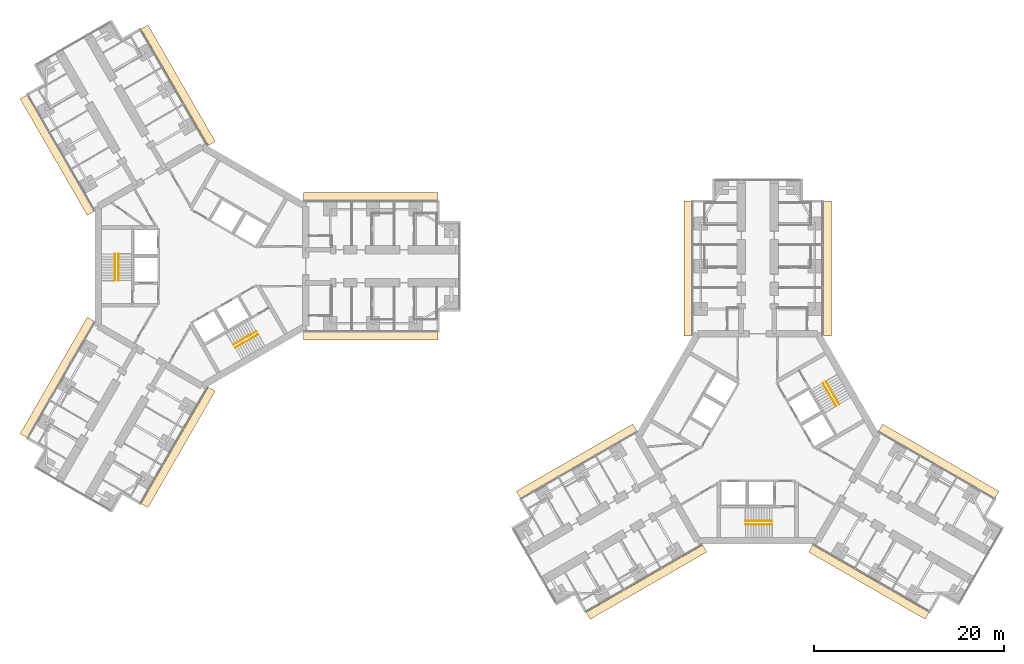
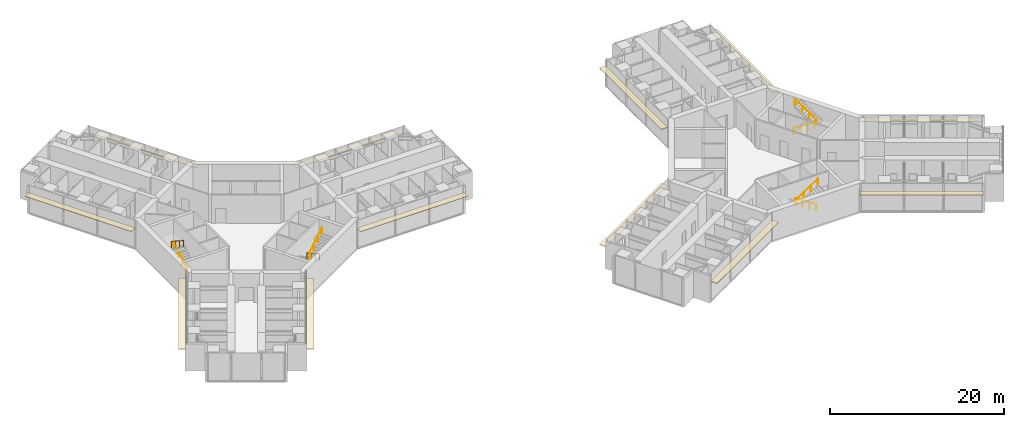
# One storey, part 25 of 25: 12 coverings, 8 railings.
"""IFC4 building model written with IfcOpenShell, lengths in metres."""

from ifc_helpers import new_model, si_unit, direction, frame, origin, origin_2d, place, context, subcontext, project, spatial, rectangle, circle, extrude, material, layer, layer_set, type_object, element, save


model = new_model("IFC4")

# Units and contexts
model_context = context("Model", 3, precision=1e-05, world=origin(), true_north=direction((0.0, 1.0)))
body_context = subcontext(model_context, "Body", "Model", "MODEL_VIEW")
ifc_project = project(units=[si_unit("LENGTHUNIT", "METRE"), si_unit("AREAUNIT", "SQUARE_METRE"), si_unit("VOLUMEUNIT", "CUBIC_METRE"), si_unit("PLANEANGLEUNIT", "RADIAN"), si_unit("MASSUNIT", "GRAM", prefix="KILO")], contexts=[model_context])

# Site, building, storey
site_placement = place(None, origin())
site = spatial("IfcSite", under=ifc_project, at=site_placement, CompositionType="ELEMENT")
building_placement = place(site_placement, origin())
building = spatial("IfcBuilding", under=site, at=building_placement, Name="Upepo Twin Towers", CompositionType="ELEMENT")
storey_placement = place(building_placement, frame((0.0, 0.0, 84.5)))
storey = spatial("IfcBuildingStorey", under=building, at=storey_placement, Name="L20", CompositionType="ELEMENT", Elevation=84.5)

# Coverings
ifc_material_1 = material(Name="Anodised aluminium, pale silver", Category="aluminium")
ifc_layer = layer(ifc_material_1, 0.080078125)
ifc_layer_set = layer_set([ifc_layer], Name="Brise-soleil blade 850 pale aluminium")
covering_type = type_object("IfcCoveringType", Name="Brise-soleil blade 850 pale aluminium", PredefinedType="USERDEFINED", material=ifc_layer_set)
for number, where, z_axis, x_axis, name in (
    (1, (17.7685546875, 7.35498046875, 2.909912109375), (0.0, 0.0, 1.0), (1.0, 0.0, 0.0), "T1 L20 wing A brise-soleil L"),
    (2, (17.7685546875, -7.35498046875, 2.909912109375), (0.0, 0.0, 1.0), (1.0, 0.0, 0.0), "T1 L20 wing A brise-soleil R"),
    (3, (-15.25390625, 11.71044921875, 2.909912109375), (0.0, 0.0, 1.0), (-0.50000003023, 0.866025386331, 0.0), "T1 L20 wing B brise-soleil L"),
    (4, (-2.5146484375, 19.0654296875, 2.909912109375), (0.0, 0.0, 1.0), (-0.50000003023, 0.866025386331, 0.0), "T1 L20 wing B brise-soleil R"),
    (5, (-2.5146484375, -19.0654296875, 2.909912109375), (0.0, 0.0, 1.0), (-0.50000003023, -0.866025386331, 0.0), "T1 L20 wing C brise-soleil L"),
    (6, (-15.25390625, -11.71044921875, 2.909912109375), (0.0, 0.0, 1.0), (-0.50000003023, -0.866025386331, 0.0), "T1 L20 wing C brise-soleil R"),
    (7, (51.14501953125, -0.2314453125, 2.909912109375), (0.0, 0.0, 1.0), (0.0, 1.0, 0.0), "T2 L20 wing A brise-soleil L"),
    (8, (65.85498046875, -0.2314453125, 2.909912109375), (0.0, 0.0, 1.0), (0.0, 1.0, 0.0), "T2 L20 wing A brise-soleil R"),
    (9, (46.78955078125, -33.25390625, 2.909912109375), (0.0, 0.0, 1.0), (-0.866025386331, -0.50000003023, 0.0), "T2 L20 wing B brise-soleil L"),
    (10, (39.4345703125, -20.5146484375, 2.909912109375), (0.0, 0.0, 1.0), (-0.866025386331, -0.50000003023, 0.0), "T2 L20 wing B brise-soleil R"),
    (11, (77.5654296875, -20.5146484375, 2.909912109375), (0.0, 0.0, 1.0), (0.866025386331, -0.50000003023, 0.0), "T2 L20 wing C brise-soleil L"),
    (12, (70.21044921875, -33.25390625, 2.909912109375), (0.0, 0.0, 1.0), (0.866025386331, -0.50000003023, 0.0), "T2 L20 wing C brise-soleil R"),
):
    element("IfcCovering", number, at=place(storey_placement, frame(where, z_axis=z_axis, x_axis=x_axis)), inside=storey, type_object=covering_type, Name=name, ObjectType="SUNSHADE", PredefinedType="USERDEFINED", context=body_context, shape_type="SweptSolid", body=[
        extrude(rectangle(XDim=14.162841796875, YDim=0.85009765625, at=origin_2d()), origin(), (0.0, 0.0, 1.0), 0.080078125),
    ])

# Railings
ifc_material_2 = material(Name="Stainless steel", Category="steel")
railing_type = type_object("IfcRailingType", Name="Stair handrail 900", PredefinedType="HANDRAIL", material=ifc_material_2)
railing_1_placement = place(storey_placement, frame((-8.800048828125, -1.52001953125, 0.181884765625)))
element("IfcRailing", 13, at=railing_1_placement, inside=storey, type_object=railing_type, Name="T1 stair S1 L20 handrail 1", PredefinedType="HANDRAIL", context=body_context, shape_type="SweptSolid", body=[
    extrude(circle(Radius=0.02392578125, at=origin_2d()), frame((0.0, 0.0, 0.8759765625), z_axis=(0.0, 0.838705829183, 0.544584733623), x_axis=(-1.0, 0.0, 0.0)), (0.0, 0.0, 1.0), 3.338623046875),
    extrude(circle(Radius=0.02099609375, at=origin_2d()), origin(), (0.0, 0.0, 1.0), 0.851806640625),
    extrude(circle(Radius=0.02099609375, at=origin_2d()), frame((0.0, 0.933349609375, 0.60595703125)), (0.0, 0.0, 1.0), 0.851806640625),
    extrude(circle(Radius=0.02099609375, at=origin_2d()), frame((0.0, 1.86669921875, 1.212158203125)), (0.0, 0.0, 1.0), 0.851806640625),
    extrude(circle(Radius=0.02099609375, at=origin_2d()), frame((0.0, 2.800048828125, 1.818115234375)), (0.0, 0.0, 1.0), 0.851806640625),
])
railing_2_placement = place(storey_placement, frame((-9.158447265625, 1.280029296875, 2.181884765625)))
element("IfcRailing", 14, at=railing_2_placement, inside=storey, type_object=railing_type, Name="T1 stair S1 L20 handrail 2", PredefinedType="HANDRAIL", context=body_context, shape_type="SweptSolid", body=[
    extrude(circle(Radius=0.02392578125, at=origin_2d()), frame((0.0, 0.0, 0.8759765625), z_axis=(0.0, -0.838705829183, 0.544584733623), x_axis=(1.0, 0.0, 0.0)), (0.0, 0.0, 1.0), 3.338623046875),
    extrude(circle(Radius=0.02099609375, at=origin_2d()), origin(), (0.0, 0.0, 1.0), 0.851806640625),
    extrude(circle(Radius=0.02099609375, at=origin_2d()), frame((0.0, -0.933349609375, 0.60595703125)), (0.0, 0.0, 1.0), 0.851806640625),
    extrude(circle(Radius=0.02099609375, at=origin_2d()), frame((0.0, -1.86669921875, 1.212158203125)), (0.0, 0.0, 1.0), 0.851806640625),
    extrude(circle(Radius=0.02099609375, at=origin_2d()), frame((0.0, -2.800048828125, 1.818115234375)), (0.0, 0.0, 1.0), 0.851806640625),
])
railing_3_placement = place(storey_placement, frame((5.71630859375, -6.861083984375, 0.181884765625)))
element("IfcRailing", 15, at=railing_3_placement, inside=storey, type_object=railing_type, Name="T1 stair S2 L20 handrail 1", PredefinedType="HANDRAIL", context=body_context, shape_type="SweptSolid", body=[
    extrude(circle(Radius=0.02392578125, at=origin_2d()), frame((0.0, 0.0, 0.8759765625), z_axis=(-0.726336304947, -0.419332699614, 0.544605966869), x_axis=(0.49998411664, -0.866034573852, 0.0)), (0.0, 0.0, 1.0), 3.33837890625),
    extrude(circle(Radius=0.02099609375, at=origin_2d()), origin(), (0.0, 0.0, 1.0), 0.851806640625),
    extrude(circle(Radius=0.02099609375, at=origin_2d()), frame((-0.808349609375, -0.466552734375, 0.60595703125)), (0.0, 0.0, 1.0), 0.851806640625),
    extrude(circle(Radius=0.02099609375, at=origin_2d()), frame((-1.616455078125, -0.933349609375, 1.212158203125)), (0.0, 0.0, 1.0), 0.851806640625),
    extrude(circle(Radius=0.02099609375, at=origin_2d()), frame((-2.4248046875, -1.39990234375, 1.818115234375)), (0.0, 0.0, 1.0), 0.851806640625),
])
railing_4_placement = place(storey_placement, frame((3.470703125, -8.5712890625, 2.181884765625)))
element("IfcRailing", 16, at=railing_4_placement, inside=storey, type_object=railing_type, Name="T1 stair S2 L20 handrail 2", PredefinedType="HANDRAIL", context=body_context, shape_type="SweptSolid", body=[
    extrude(circle(Radius=0.02392578125, at=origin_2d()), frame((0.0, 0.0, 0.8759765625), z_axis=(0.726336304947, 0.419332699614, 0.544605966869), x_axis=(-0.49998411664, 0.866034573852, 0.0)), (0.0, 0.0, 1.0), 3.33837890625),
    extrude(circle(Radius=0.02099609375, at=origin_2d()), origin(), (0.0, 0.0, 1.0), 0.851806640625),
    extrude(circle(Radius=0.02099609375, at=origin_2d()), frame((0.808349609375, 0.466552734375, 0.60595703125)), (0.0, 0.0, 1.0), 0.851806640625),
    extrude(circle(Radius=0.02099609375, at=origin_2d()), frame((1.616455078125, 0.933349609375, 1.212158203125)), (0.0, 0.0, 1.0), 0.851806640625),
    extrude(circle(Radius=0.02099609375, at=origin_2d()), frame((2.4248046875, 1.39990234375, 1.818115234375)), (0.0, 0.0, 1.0), 0.851806640625),
])
railing_5_placement = place(storey_placement, frame((60.02001953125, -26.800048828125, 0.181884765625)))
element("IfcRailing", 17, at=railing_5_placement, inside=storey, type_object=railing_type, Name="T2 stair S1 L20 handrail 1", PredefinedType="HANDRAIL", context=body_context, shape_type="SweptSolid", body=[
    extrude(circle(Radius=0.02392578125, at=origin_2d()), frame((0.0, 0.0, 0.8759765625), z_axis=(-0.838705829183, 0.0, 0.544584733623), x_axis=(0.0, -1.0, 0.0)), (0.0, 0.0, 1.0), 3.338623046875),
    extrude(circle(Radius=0.02099609375, at=origin_2d()), origin(), (0.0, 0.0, 1.0), 0.851806640625),
    extrude(circle(Radius=0.02099609375, at=origin_2d()), frame((-0.933349609375, 0.0, 0.60595703125)), (0.0, 0.0, 1.0), 0.851806640625),
    extrude(circle(Radius=0.02099609375, at=origin_2d()), frame((-1.86669921875, 0.0, 1.212158203125)), (0.0, 0.0, 1.0), 0.851806640625),
    extrude(circle(Radius=0.02099609375, at=origin_2d()), frame((-2.800048828125, 0.0, 1.818115234375)), (0.0, 0.0, 1.0), 0.851806640625),
])
railing_6_placement = place(storey_placement, frame((57.219970703125, -27.158447265625, 2.181884765625)))
element("IfcRailing", 18, at=railing_6_placement, inside=storey, type_object=railing_type, Name="T2 stair S1 L20 handrail 2", PredefinedType="HANDRAIL", context=body_context, shape_type="SweptSolid", body=[
    extrude(circle(Radius=0.02392578125, at=origin_2d()), frame((0.0, 0.0, 0.8759765625), z_axis=(0.838705829183, 0.0, 0.544584733623), x_axis=(0.0, 1.0, 0.0)), (0.0, 0.0, 1.0), 3.338623046875),
    extrude(circle(Radius=0.02099609375, at=origin_2d()), origin(), (0.0, 0.0, 1.0), 0.851806640625),
    extrude(circle(Radius=0.02099609375, at=origin_2d()), frame((0.933349609375, 0.0, 0.60595703125)), (0.0, 0.0, 1.0), 0.851806640625),
    extrude(circle(Radius=0.02099609375, at=origin_2d()), frame((1.86669921875, 0.0, 1.212158203125)), (0.0, 0.0, 1.0), 0.851806640625),
    extrude(circle(Radius=0.02099609375, at=origin_2d()), frame((2.800048828125, 0.0, 1.818115234375)), (0.0, 0.0, 1.0), 0.851806640625),
])
railing_7_placement = place(storey_placement, frame((65.361083984375, -12.28369140625, 0.181884765625)))
element("IfcRailing", 19, at=railing_7_placement, inside=storey, type_object=railing_type, Name="T2 stair S2 L20 handrail 1", PredefinedType="HANDRAIL", context=body_context, shape_type="SweptSolid", body=[
    extrude(circle(Radius=0.02392578125, at=origin_2d()), frame((0.0, 0.0, 0.8759765625), z_axis=(0.419332699614, -0.726336304947, 0.544605966869), x_axis=(0.866034573852, 0.49998411664, 0.0)), (0.0, 0.0, 1.0), 3.33837890625),
    extrude(circle(Radius=0.02099609375, at=origin_2d()), origin(), (0.0, 0.0, 1.0), 0.851806640625),
    extrude(circle(Radius=0.02099609375, at=origin_2d()), frame((0.466552734375, -0.808349609375, 0.60595703125)), (0.0, 0.0, 1.0), 0.851806640625),
    extrude(circle(Radius=0.02099609375, at=origin_2d()), frame((0.933349609375, -1.616455078125, 1.212158203125)), (0.0, 0.0, 1.0), 0.851806640625),
    extrude(circle(Radius=0.02099609375, at=origin_2d()), frame((1.39990234375, -2.4248046875, 1.818115234375)), (0.0, 0.0, 1.0), 0.851806640625),
])
railing_8_placement = place(storey_placement, frame((67.0712890625, -14.529296875, 2.181884765625)))
element("IfcRailing", 20, at=railing_8_placement, inside=storey, type_object=railing_type, Name="T2 stair S2 L20 handrail 2", PredefinedType="HANDRAIL", context=body_context, shape_type="SweptSolid", body=[
    extrude(circle(Radius=0.02392578125, at=origin_2d()), frame((0.0, 0.0, 0.8759765625), z_axis=(-0.419332699614, 0.726336304947, 0.544605966869), x_axis=(-0.866034573852, -0.49998411664, 0.0)), (0.0, 0.0, 1.0), 3.33837890625),
    extrude(circle(Radius=0.02099609375, at=origin_2d()), origin(), (0.0, 0.0, 1.0), 0.851806640625),
    extrude(circle(Radius=0.02099609375, at=origin_2d()), frame((-0.466552734375, 0.808349609375, 0.60595703125)), (0.0, 0.0, 1.0), 0.851806640625),
    extrude(circle(Radius=0.02099609375, at=origin_2d()), frame((-0.933349609375, 1.616455078125, 1.212158203125)), (0.0, 0.0, 1.0), 0.851806640625),
    extrude(circle(Radius=0.02099609375, at=origin_2d()), frame((-1.39990234375, 2.4248046875, 1.818115234375)), (0.0, 0.0, 1.0), 0.851806640625),
])

save(model, "model.ifc")
